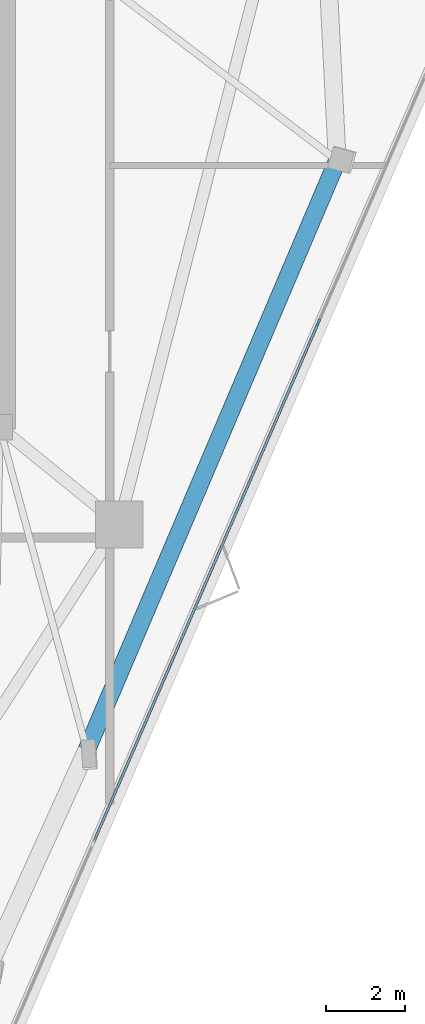
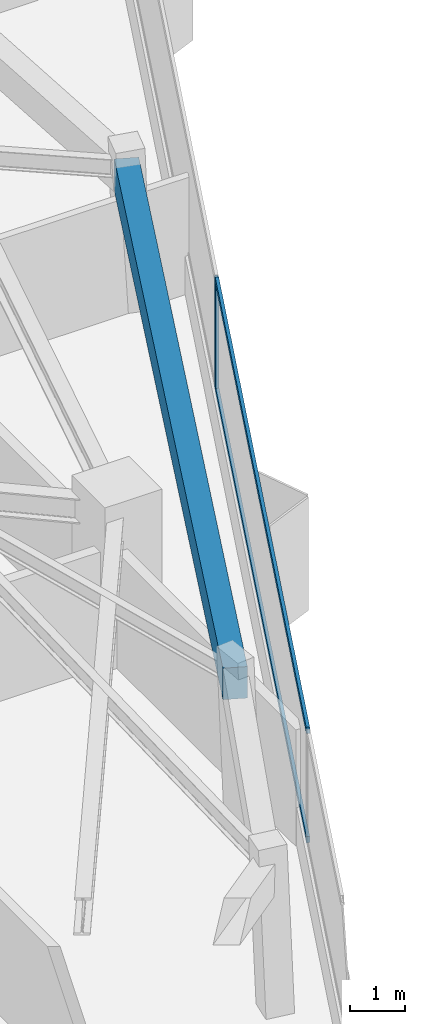
# One storey, part 4 of 11: 3 members, 1 beam, 1 element without a shape of its own.
"""IFC4 building model written with IfcOpenShell, lengths in metres."""

from ifc_helpers import new_model, si_unit, direction, frame, origin, origin_2d, place, context, subcontext, project, spatial, rectangle, extrude, material, layer, layer_set, material_profile, profile_set, type_object, element, aggregate, save


model = new_model("IFC4")

# Units and contexts
model_context = context("Model", 3, precision=1e-05, world=origin(), true_north=direction((0.0, 1.0)))
body_context = subcontext(model_context, "Body", "Model", "MODEL_VIEW")
ifc_project = project(units=[si_unit("LENGTHUNIT", "METRE"), si_unit("AREAUNIT", "SQUARE_METRE"), si_unit("VOLUMEUNIT", "CUBIC_METRE"), si_unit("PLANEANGLEUNIT", "RADIAN"), si_unit("MASSUNIT", "GRAM", prefix="KILO")], contexts=[model_context])

# Site, building, storey
site_placement = place(None, origin())
site = spatial("IfcSite", under=ifc_project, at=site_placement, CompositionType="ELEMENT")
building_placement = place(site_placement, origin())
building = spatial("IfcBuilding", under=site, at=building_placement, Name="Talyreon Biosciences Tower", CompositionType="ELEMENT")
storey_placement = place(building_placement, frame((0.0, 0.0, 271.75)))
storey = spatial("IfcBuildingStorey", under=building, at=storey_placement, Name="L72", CompositionType="ELEMENT", Elevation=271.75)

# Curtain wall, members
ifc_material_1 = material(Name="Thermally broken aluminium and low-E glazing", Category="aluminium")
ifc_layer = layer(ifc_material_1, 0.175048828125)
ifc_layer_set = layer_set([ifc_layer], Name="Thermally broken aluminium and low-E glazing")
curtain_wall_type = type_object("IfcCurtainWallType", Name="CurtainWall_Zone5CompLab", PredefinedType="NOTDEFINED", material=ifc_layer_set)
curtain_wall_placement = place(storey_placement, origin())
curtain_wall = element("IfcCurtainWall", 1, at=curtain_wall_placement, inside=storey, type_object=curtain_wall_type, Name="L72 Unitised Curtain Wall FCW-L72-08", PredefinedType="NOTDEFINED")
ifc_material_2 = material(Name="Anodised thermally broken aluminium", Category="aluminium")
ifc_material_profile_1 = material_profile(ifc_material_2, rectangle(XDim=0.06494140625, YDim=0.179931640625, at=origin_2d()), Name="ALUM MULLION 65x180")
ifc_profile_set_1 = profile_set([ifc_material_profile_1], Name="Anodised thermally broken aluminium")
member_type_1 = type_object("IfcMemberType", Name="CWMullion_65x180", PredefinedType="MULLION", material=ifc_profile_set_1)
member_1_placement = place(storey_placement, frame((82.148193359375, 64.013427734375, 0.81005859375), z_axis=(0.0, 0.0, 1.0), x_axis=(0.917867616895, -0.396886681377, 0.0)))
member_1 = element("IfcMember", 2, at=member_1_placement, type_object=member_type_1, Name="CW6 mullion 2", PredefinedType="MULLION", context=body_context, shape_type="SweptSolid", body=[
    extrude(rectangle(XDim=0.06494140625, YDim=0.179931640625, at=origin_2d()), origin(), (0.0, 0.0, 1.0), 2.489990234375),
])
ifc_material_profile_2 = material_profile(ifc_material_2, rectangle(XDim=0.06494140625, YDim=0.139892578125, at=origin_2d()), Name="ALUM TRANSOM 65x140")
ifc_profile_set_2 = profile_set([ifc_material_profile_2], Name="Anodised thermally broken aluminium")
member_type_2 = type_object("IfcMemberType", Name="CWTransom_65x140", PredefinedType="USERDEFINED", material=ifc_profile_set_2)
member_2_placement = place(storey_placement, frame((82.13525390625, 63.983642578125, 0.842529296875), z_axis=(-0.396880564948, -0.91787026162, 0.0), x_axis=(0.91787026162, -0.396880564948, 0.0)))
member_2 = element("IfcMember", 3, at=member_2_placement, type_object=member_type_2, Name="CW6 transom 2.1", ObjectType="TRANSOM", PredefinedType="USERDEFINED", context=body_context, shape_type="SweptSolid", body=[
    extrude(rectangle(XDim=0.06494140625, YDim=0.139892578125, at=origin_2d()), origin(), (0.0, 0.0, 1.0), 14.358154296875),
])
member_3_placement = place(storey_placement, frame((82.13525390625, 63.983642578125, 3.267578125), z_axis=(-0.396880564948, -0.91787026162, 0.0), x_axis=(0.91787026162, -0.396880564948, 0.0)))
member_3 = element("IfcMember", 4, at=member_3_placement, type_object=member_type_2, Name="CW6 transom 2.2", ObjectType="TRANSOM", PredefinedType="USERDEFINED", context=body_context, shape_type="SweptSolid", body=[
    extrude(rectangle(XDim=0.06494140625, YDim=0.139892578125, at=origin_2d()), origin(), (0.0, 0.0, 1.0), 14.358154296875),
])
aggregate(curtain_wall, [member_1, member_2, member_3])

# Beam
ifc_material_3 = material(Name="Precast concrete C45/55", Category="concrete")
ifc_material_profile_3 = material_profile(ifc_material_3, rectangle(XDim=0.449951171875, YDim=0.699951171875, at=origin_2d()), Name="RCB 450x700")
ifc_profile_set_3 = profile_set([ifc_material_profile_3], Name="Precast concrete C45/55")
beam_type = type_object("IfcBeamType", Name="ExpressedSpandrel_450x700", PredefinedType="SPANDREL", material=ifc_profile_set_3)
beam_placement = place(storey_placement, frame((76.263427734375, 53.1533203125, 2.949951171875), z_axis=(0.391129835018, 0.920335510647, 0.0), x_axis=(-0.920335510647, 0.391129835018, 0.0)))
element("IfcBeam", 5, at=beam_placement, inside=storey, type_object=beam_type, Name="L72 Expressed Horizontal Concrete Spandrel 03", PredefinedType="SPANDREL", context=body_context, shape_type="SweptSolid", body=[
    extrude(rectangle(XDim=0.449951171875, YDim=0.699951171875, at=origin_2d()), origin(), (0.0, 0.0, 1.0), 16.26708984375),
])

save(model, "model.ifc")
